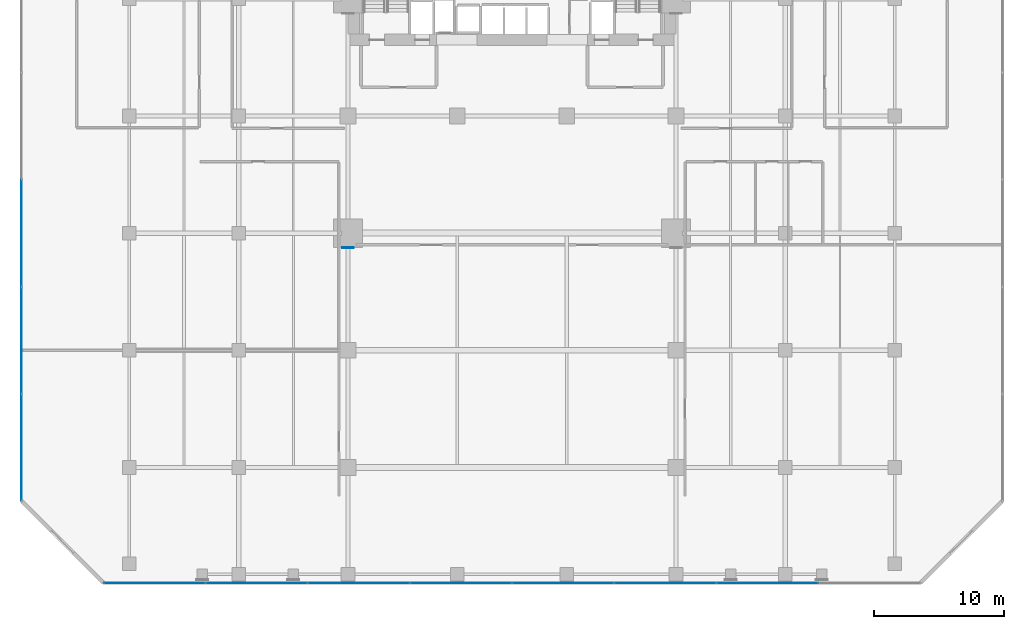
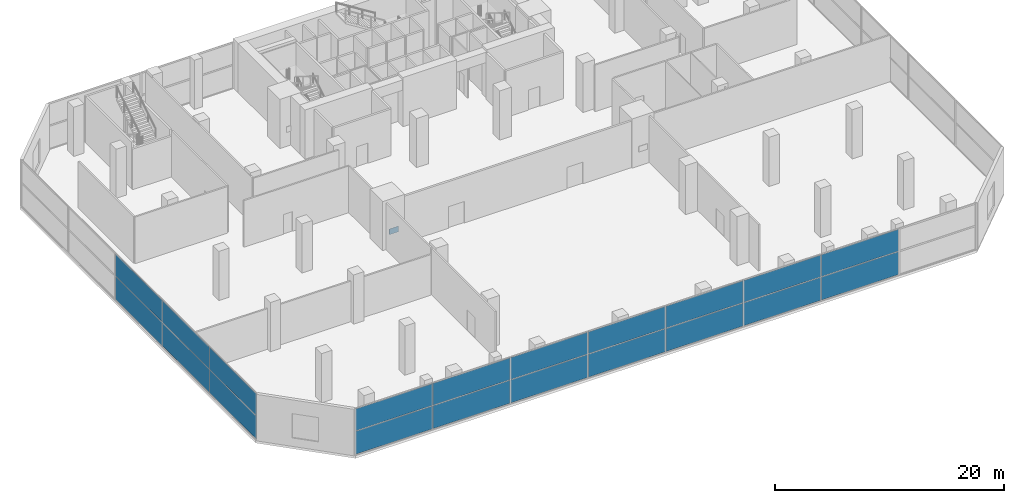
# One storey, part 31 of 40: 21 plates, 2 elements without a shape of their own.
"""IFC4 building model written with IfcOpenShell, lengths in metres."""

import ifcopenshell
import ifcopenshell.guid

model = None  # the IFC model being written
_history = None  # IfcOwnerHistory: only IFC2X3 demands one
_inside = {}  # id of a spatial element -> (the spatial element, [elements in it])
_under = {}  # id of a project, library or spatial element -> (it, [spatial elements below it])
_declared = {}  # id of a project -> (the project, [libraries it declares])
_typed = {}  # id of a type object -> (the type object, [elements of that type])
_made_of = {}  # id of a material, layer set ... -> (it, [elements and type objects made of it])


def new_model(schema):
    """Start an empty IFC model of exactly this schema.

    Asked for "IFC4X3", IfcOpenShell would pick the latest addendum, in which some entities
    have other attributes; the version numbers below select the first issue.
    IFC2X3 requires an IfcOwnerHistory on every rooted entity: one is made here for all.
    """
    global model, _history
    if schema == "IFC4X3":
        model = ifcopenshell.file(schema_version=(4, 3, 0, 0))
    else:
        model = ifcopenshell.file(schema=schema)
    _inside.clear()
    _under.clear()
    _declared.clear()
    _typed.clear()
    _made_of.clear()
    _history = None
    if model.schema == "IFC2X3":
        org = make("IfcOrganization", Name="unknown")
        user = make(
            "IfcPersonAndOrganization",
            ThePerson=make("IfcPerson", FamilyName="unknown"),
            TheOrganization=org,
        )
        app = make(
            "IfcApplication",
            ApplicationDeveloper=org,
            Version="unknown",
            ApplicationFullName="unknown",
            ApplicationIdentifier="unknown",
        )
        _history = make(
            "IfcOwnerHistory",
            OwningUser=user,
            OwningApplication=app,
            ChangeAction="ADDED",
            CreationDate=0,
        )
    return model


def make(cls, **values):
    """One entity of the class cls with the attributes given. An attribute that is None is left unset."""
    return model.create_entity(
        cls, **{name: value for name, value in values.items() if value is not None}
    )


def rooted(cls, **values):
    """An entity with a GlobalId (a new one), such as an element, a storey or a relation."""
    return make(cls, GlobalId=ifcopenshell.guid.new(), OwnerHistory=_history, **values)


def si_unit(unit_type, name, prefix=None):
    """IfcSIUnit, for example si_unit("LENGTHUNIT", "METRE", prefix="MILLI")."""
    return make("IfcSIUnit", UnitType=unit_type, Prefix=prefix, Name=name)


def assignment(units):
    """IfcUnitAssignment: the units of a project."""
    return None if units is None else make("IfcUnitAssignment", Units=units)


def point(xyz):
    """IfcCartesianPoint."""
    return None if xyz is None else make("IfcCartesianPoint", Coordinates=xyz)


def direction(xyz):
    """IfcDirection."""
    return None if xyz is None else make("IfcDirection", DirectionRatios=xyz)


def frame(location, z_axis=None, x_axis=None):
    """IfcAxis2Placement3D, a coordinate frame: its origin and axes. An axis left out is left unset."""
    return make(
        "IfcAxis2Placement3D",
        Location=point(location),
        Axis=direction(z_axis),
        RefDirection=direction(x_axis),
    )


def frame_2d(location, x_axis=None):
    """IfcAxis2Placement2D, a coordinate frame in the plane: its origin and x axis."""
    return make(
        "IfcAxis2Placement2D", Location=point(location), RefDirection=direction(x_axis)
    )


def origin():
    """The frame at (0, 0, 0) with its axes left unset."""
    return frame((0.0, 0.0, 0.0))


def origin_2d():
    """The frame at (0, 0) in the plane with its x axis left unset."""
    return frame_2d((0.0, 0.0))


def place(relative_to, where):
    """IfcLocalPlacement: puts the frame where relative to a parent placement (None: the world)."""
    return make(
        "IfcLocalPlacement", PlacementRelTo=relative_to, RelativePlacement=where
    )


def context(
    kind, dimensions, precision=None, world=None, true_north=None, identifier=None
):
    """IfcGeometricRepresentationContext, for example the 3D "Model" context."""
    return make(
        "IfcGeometricRepresentationContext",
        ContextIdentifier=identifier,
        ContextType=kind,
        CoordinateSpaceDimension=dimensions,
        Precision=precision,
        WorldCoordinateSystem=world,
        TrueNorth=true_north,
    )


def subcontext(parent, identifier, kind, view, scale=None):
    """IfcGeometricRepresentationSubContext, for example "Body" below "Model"."""
    return make(
        "IfcGeometricRepresentationSubContext",
        ContextIdentifier=identifier,
        ContextType=kind,
        ParentContext=parent,
        TargetScale=scale,
        TargetView=view,
    )


def project(units=None, contexts=None):
    """IfcProject with its units and contexts."""
    return rooted(
        "IfcProject",
        Name="project",
        RepresentationContexts=contexts,
        UnitsInContext=assignment(units),
    )


def spatial(cls, under=None, at=None, **own):
    """A site, building, storey or space (cls), placed at a placement, below another one or the project."""
    s = rooted(cls, ObjectPlacement=at, **own)
    if under is not None:
        _under.setdefault(under.id(), (under, []))[1].append(s)
    return s


def profile(cls, at=None, kind="AREA", **sizes):
    """A parametric profile (cls). Its sizes go by their IFC names, for example OverallWidth=200.0."""
    return make(cls, ProfileType=kind, Position=at, **sizes)


def rectangle(**sizes):
    """IfcRectangleProfileDef."""
    return profile("IfcRectangleProfileDef", **sizes)


def extrude(swept, where, along, depth):
    """IfcExtrudedAreaSolid: the profile swept, set in the frame where, extruded along a direction by depth."""
    return make(
        "IfcExtrudedAreaSolid",
        SweptArea=swept,
        Position=where,
        ExtrudedDirection=direction(along),
        Depth=depth,
    )


def shape(context_of_items, identifier, shape_type, items):
    """IfcShapeRepresentation: the items that make up one representation, for example the "Body"."""
    return make(
        "IfcShapeRepresentation",
        ContextOfItems=context_of_items,
        RepresentationIdentifier=identifier,
        RepresentationType=shape_type,
        Items=items,
    )


def material(Name=None, Category=None):
    """IfcMaterial."""
    return make("IfcMaterial", Name=Name, Category=Category)


def layer(
    of_material, thickness, ventilated=None, Name=None, Category=None, Priority=None
):
    """IfcMaterialLayer: one layer of a wall or slab, of a material (None: an air gap)."""
    return make(
        "IfcMaterialLayer",
        Material=of_material,
        LayerThickness=thickness,
        IsVentilated=ventilated,
        Name=Name,
        Category=Category,
        Priority=Priority,
    )


def layer_set(layers, Name=None):
    """IfcMaterialLayerSet."""
    return make("IfcMaterialLayerSet", MaterialLayers=layers, LayerSetName=Name)


def made_of(thing, what):
    """Note that an element or type object is made of a material, layer set ...; save() writes the relation."""
    if what is not None:
        _made_of.setdefault(what.id(), (what, []))[1].append(thing)
    return thing


def type_object(cls, material=None, **own):
    """A type object (cls), such as IfcWallType, which elements share."""
    return made_of(rooted(cls, **own), material)


def element(
    cls,
    number,
    at=None,
    inside=None,
    cuts=None,
    type_object=None,
    material=None,
    context=None,
    identifier="Body",
    shape_type=None,
    held_by="IfcProductDefinitionShape",
    body=None,
    shapes=None,
    **own,
):
    """One element of the class cls, such as IfcWall. Its Tag is "e" and its number.

    at: its placement. inside: the storey or other place that contains it. cuts: it is an
    opening in that element (IfcRelVoidsElement). A single representation is given by context,
    identifier, shape_type and body (its items); several are given by shapes. held_by: the class
    of the entity that holds the representations. save() writes the other relations.
    """
    e = rooted(cls, Tag="e%d" % number, ObjectPlacement=at, **own)
    if body is not None:
        shapes = [shape(context, identifier, shape_type, body)]
    if shapes is not None:
        e.Representation = make(held_by, Representations=shapes)
    if inside is not None:
        _inside.setdefault(inside.id(), (inside, []))[1].append(e)
    if cuts is not None:
        rooted(
            "IfcRelVoidsElement", RelatingBuildingElement=cuts, RelatedOpeningElement=e
        )
    if type_object is not None:
        _typed.setdefault(type_object.id(), (type_object, []))[1].append(e)
    return made_of(e, material)


def aggregate(whole, parts):
    """IfcRelAggregates: a whole, such as a stair, and the parts it consists of."""
    return rooted("IfcRelAggregates", RelatingObject=whole, RelatedObjects=parts)


def save(model, path):
    """Write the relations noted so far, then the file.

    IfcRelAggregates (storeys below a building ...), IfcRelContainedInSpatialStructure (elements
    in a storey), IfcRelDefinesByType, IfcRelAssociatesMaterial and IfcRelDeclares: one each for
    every whole, place, type object, material and project.
    """
    for whole, parts in _under.values():
        aggregate(whole, parts)
    for where, things in _inside.values():
        rooted(
            "IfcRelContainedInSpatialStructure",
            RelatedElements=things,
            RelatingStructure=where,
        )
    for kind, things in _typed.values():
        rooted("IfcRelDefinesByType", RelatedObjects=things, RelatingType=kind)
    for what, things in _made_of.values():
        rooted("IfcRelAssociatesMaterial", RelatedObjects=things, RelatingMaterial=what)
    for by, libraries in _declared.values():
        rooted("IfcRelDeclares", RelatingContext=by, RelatedDefinitions=libraries)
    model.write(path)


model = new_model("IFC4")

# Units and contexts
model_context = context("Model", 3, precision=1e-05, world=origin(), true_north=direction((0.0, 1.0)))
body_context = subcontext(model_context, "Body", "Model", "MODEL_VIEW")
ifc_project = project(units=[si_unit("LENGTHUNIT", "METRE"), si_unit("AREAUNIT", "SQUARE_METRE"), si_unit("VOLUMEUNIT", "CUBIC_METRE"), si_unit("PLANEANGLEUNIT", "RADIAN"), si_unit("MASSUNIT", "GRAM", prefix="KILO")], contexts=[model_context])

# Site, building, storey
site_placement = place(None, origin())
site = spatial("IfcSite", under=ifc_project, at=site_placement, CompositionType="ELEMENT")
building_placement = place(site_placement, origin())
building = spatial("IfcBuilding", under=site, at=building_placement, Name="Maruvema Waterfront Hotel and Observation Tower", CompositionType="ELEMENT")
storey_placement = place(building_placement, frame((0.0, 0.0, 5.60009765625)))
storey = spatial("IfcBuildingStorey", under=building, at=storey_placement, Name="L01", CompositionType="ELEMENT", Elevation=5.60009765625)

# Curtain wall, plates
ifc_material_1 = material(Name="Anodised bronze aluminium and solar-control low-E IGU", Category="aluminium")
ifc_layer_1 = layer(ifc_material_1, 0.159912109375, Name="Podium Waterfront Storefront Curtain Wall System CW-01")
ifc_layer_set_1 = layer_set([ifc_layer_1], Name="Anodised bronze aluminium and solar-control low-E IGU")
curtain_wall_type = type_object("IfcCurtainWallType", Name="Podium Waterfront Storefront Curtain Wall System CW-01", PredefinedType="USERDEFINED", material=ifc_layer_set_1)
curtain_wall_1_placement = place(storey_placement, origin())
curtain_wall_1 = element("IfcCurtainWall", 1, at=curtain_wall_1_placement, inside=storey, type_object=curtain_wall_type, Name="L01 Curtain Wall CW-L01-S", ObjectType="UNITISED CURTAIN WALL", PredefinedType="USERDEFINED")
ifc_material_2 = material(Name="Laminated low-E solar-control double glazing", Category="glass")
ifc_layer_2 = layer(ifc_material_2, 0.035888671875, Name="Solar Control Double-Glazed Curtain Panel 36 mm")
ifc_layer_set_2 = layer_set([ifc_layer_2], Name="Laminated low-E solar-control double glazing")
plate_type_1 = type_object("IfcPlateType", Name="Solar Control Double-Glazed Curtain Panel 36 mm", PredefinedType="CURTAIN_PANEL", material=ifc_layer_set_2)
plate_1_placement = place(storey_placement, frame((10.340087890625, 0.1201171875, 0.059814453125), z_axis=(0.0, 0.0, 1.0), x_axis=(1.0, 0.0, 0.0)))
plate_1 = element("IfcPlate", 2, at=plate_1_placement, type_object=plate_type_1, Name="CW-01 panel 1.1", PredefinedType="CURTAIN_PANEL", context=body_context, shape_type="SweptSolid", body=[
    extrude(rectangle(XDim=7.760009765625, YDim=0.028076171875, at=origin_2d()), origin(), (0.0, 0.0, 1.0), 2.4599609375),
])
plate_2_placement = place(storey_placement, frame((10.340087890625, 0.1201171875, 2.579833984375), z_axis=(0.0, 0.0, 1.0), x_axis=(1.0, 0.0, 0.0)))
plate_2 = element("IfcPlate", 3, at=plate_2_placement, type_object=plate_type_1, Name="CW-01 panel 1.2", PredefinedType="CURTAIN_PANEL", context=body_context, shape_type="SweptSolid", body=[
    extrude(rectangle(XDim=7.760009765625, YDim=0.028076171875, at=origin_2d()), origin(), (0.0, 0.0, 1.0), 2.330078125),
])
plate_3_placement = place(storey_placement, frame((18.175048828125, 0.1201171875, 0.059814453125), z_axis=(0.0, 0.0, 1.0), x_axis=(1.0, 0.0, 0.0)))
plate_3 = element("IfcPlate", 4, at=plate_3_placement, type_object=plate_type_1, Name="CW-01 panel 2.1", PredefinedType="CURTAIN_PANEL", context=body_context, shape_type="SweptSolid", body=[
    extrude(rectangle(XDim=7.7900390625, YDim=0.028076171875, at=origin_2d()), origin(), (0.0, 0.0, 1.0), 2.4599609375),
])
plate_4_placement = place(storey_placement, frame((18.175048828125, 0.1201171875, 2.579833984375), z_axis=(0.0, 0.0, 1.0), x_axis=(1.0, 0.0, 0.0)))
plate_4 = element("IfcPlate", 5, at=plate_4_placement, type_object=plate_type_1, Name="CW-01 panel 2.2", PredefinedType="CURTAIN_PANEL", context=body_context, shape_type="SweptSolid", body=[
    extrude(rectangle(XDim=7.7900390625, YDim=0.028076171875, at=origin_2d()), origin(), (0.0, 0.0, 1.0), 2.330078125),
])
plate_5_placement = place(storey_placement, frame((26.02490234375, 0.1201171875, 0.059814453125), z_axis=(0.0, 0.0, 1.0), x_axis=(1.0, 0.0, 0.0)))
plate_5 = element("IfcPlate", 6, at=plate_5_placement, type_object=plate_type_1, Name="CW-01 panel 3.1", PredefinedType="CURTAIN_PANEL", context=body_context, shape_type="SweptSolid", body=[
    extrude(rectangle(XDim=7.7900390625, YDim=0.028076171875, at=origin_2d()), origin(), (0.0, 0.0, 1.0), 2.4599609375),
])
plate_6_placement = place(storey_placement, frame((26.02490234375, 0.1201171875, 2.579833984375), z_axis=(0.0, 0.0, 1.0), x_axis=(1.0, 0.0, 0.0)))
plate_6 = element("IfcPlate", 7, at=plate_6_placement, type_object=plate_type_1, Name="CW-01 panel 3.2", PredefinedType="CURTAIN_PANEL", context=body_context, shape_type="SweptSolid", body=[
    extrude(rectangle(XDim=7.7900390625, YDim=0.028076171875, at=origin_2d()), origin(), (0.0, 0.0, 1.0), 2.330078125),
])
plate_7_placement = place(storey_placement, frame((33.875, 0.1201171875, 0.059814453125), z_axis=(0.0, 0.0, 1.0), x_axis=(1.0, 0.0, 0.0)))
plate_7 = element("IfcPlate", 8, at=plate_7_placement, type_object=plate_type_1, Name="CW-01 panel 4.1", PredefinedType="CURTAIN_PANEL", context=body_context, shape_type="SweptSolid", body=[
    extrude(rectangle(XDim=7.7900390625, YDim=0.028076171875, at=origin_2d()), origin(), (0.0, 0.0, 1.0), 2.4599609375),
])
plate_8_placement = place(storey_placement, frame((33.875, 0.1201171875, 2.579833984375), z_axis=(0.0, 0.0, 1.0), x_axis=(1.0, 0.0, 0.0)))
plate_8 = element("IfcPlate", 9, at=plate_8_placement, type_object=plate_type_1, Name="CW-01 panel 4.2", PredefinedType="CURTAIN_PANEL", context=body_context, shape_type="SweptSolid", body=[
    extrude(rectangle(XDim=7.7900390625, YDim=0.028076171875, at=origin_2d()), origin(), (0.0, 0.0, 1.0), 2.330078125),
])
plate_9_placement = place(storey_placement, frame((41.72509765625, 0.1201171875, 0.059814453125), z_axis=(0.0, 0.0, 1.0), x_axis=(1.0, 0.0, 0.0)))
plate_9 = element("IfcPlate", 10, at=plate_9_placement, type_object=plate_type_1, Name="CW-01 panel 5.1", PredefinedType="CURTAIN_PANEL", context=body_context, shape_type="SweptSolid", body=[
    extrude(rectangle(XDim=7.7900390625, YDim=0.028076171875, at=origin_2d()), origin(), (0.0, 0.0, 1.0), 2.4599609375),
])
plate_10_placement = place(storey_placement, frame((41.72509765625, 0.1201171875, 2.579833984375), z_axis=(0.0, 0.0, 1.0), x_axis=(1.0, 0.0, 0.0)))
plate_10 = element("IfcPlate", 11, at=plate_10_placement, type_object=plate_type_1, Name="CW-01 panel 5.2", PredefinedType="CURTAIN_PANEL", context=body_context, shape_type="SweptSolid", body=[
    extrude(rectangle(XDim=7.7900390625, YDim=0.028076171875, at=origin_2d()), origin(), (0.0, 0.0, 1.0), 2.330078125),
])
plate_11_placement = place(storey_placement, frame((49.574951171875, 0.1201171875, 0.059814453125), z_axis=(0.0, 0.0, 1.0), x_axis=(1.0, 0.0, 0.0)))
plate_11 = element("IfcPlate", 12, at=plate_11_placement, type_object=plate_type_1, Name="CW-01 panel 6.1", PredefinedType="CURTAIN_PANEL", context=body_context, shape_type="SweptSolid", body=[
    extrude(rectangle(XDim=7.7900390625, YDim=0.028076171875, at=origin_2d()), origin(), (0.0, 0.0, 1.0), 2.4599609375),
])
plate_12_placement = place(storey_placement, frame((49.574951171875, 0.1201171875, 2.579833984375), z_axis=(0.0, 0.0, 1.0), x_axis=(1.0, 0.0, 0.0)))
plate_12 = element("IfcPlate", 13, at=plate_12_placement, type_object=plate_type_1, Name="CW-01 panel 6.2", PredefinedType="CURTAIN_PANEL", context=body_context, shape_type="SweptSolid", body=[
    extrude(rectangle(XDim=7.7900390625, YDim=0.028076171875, at=origin_2d()), origin(), (0.0, 0.0, 1.0), 2.330078125),
])
plate_13_placement = place(storey_placement, frame((57.425048828125, 0.1201171875, 0.059814453125), z_axis=(0.0, 0.0, 1.0), x_axis=(1.0, 0.0, 0.0)))
plate_13 = element("IfcPlate", 14, at=plate_13_placement, type_object=plate_type_1, Name="CW-01 panel 7.1", PredefinedType="CURTAIN_PANEL", context=body_context, shape_type="SweptSolid", body=[
    extrude(rectangle(XDim=7.7900390625, YDim=0.028076171875, at=origin_2d()), origin(), (0.0, 0.0, 1.0), 2.4599609375),
])
plate_14_placement = place(storey_placement, frame((57.425048828125, 0.1201171875, 2.579833984375), z_axis=(0.0, 0.0, 1.0), x_axis=(1.0, 0.0, 0.0)))
plate_14 = element("IfcPlate", 15, at=plate_14_placement, type_object=plate_type_1, Name="CW-01 panel 7.2", PredefinedType="CURTAIN_PANEL", context=body_context, shape_type="SweptSolid", body=[
    extrude(rectangle(XDim=7.7900390625, YDim=0.028076171875, at=origin_2d()), origin(), (0.0, 0.0, 1.0), 2.330078125),
])
aggregate(curtain_wall_1, [plate_1, plate_2, plate_3, plate_4, plate_5, plate_6, plate_7, plate_8, plate_9, plate_10, plate_11, plate_12, plate_13, plate_14])

curtain_wall_2_placement = place(storey_placement, origin())
curtain_wall_2 = element("IfcCurtainWall", 16, at=curtain_wall_2_placement, inside=storey, type_object=curtain_wall_type, Name="L01 Curtain Wall CW-L01-W", ObjectType="UNITISED CURTAIN WALL", PredefinedType="USERDEFINED")
plate_15_placement = place(storey_placement, frame((0.1201171875, 27.0, 0.059814453125), z_axis=(0.0, 0.0, 1.0), x_axis=(0.0, -1.0, 0.0)))
plate_15 = element("IfcPlate", 17, at=plate_15_placement, type_object=plate_type_1, Name="CW-01 panel 3.1", PredefinedType="CURTAIN_PANEL", context=body_context, shape_type="SweptSolid", body=[
    extrude(rectangle(XDim=8.179931640625, YDim=0.028076171875, at=origin_2d()), origin(), (0.0, 0.0, 1.0), 2.4599609375),
])
plate_16_placement = place(storey_placement, frame((0.1201171875, 27.0, 2.579833984375), z_axis=(0.0, 0.0, 1.0), x_axis=(0.0, -1.0, 0.0)))
plate_16 = element("IfcPlate", 18, at=plate_16_placement, type_object=plate_type_1, Name="CW-01 panel 3.2", PredefinedType="CURTAIN_PANEL", context=body_context, shape_type="SweptSolid", body=[
    extrude(rectangle(XDim=8.179931640625, YDim=0.028076171875, at=origin_2d()), origin(), (0.0, 0.0, 1.0), 2.330078125),
])
plate_17_placement = place(storey_placement, frame((0.1201171875, 18.760009765625, 0.059814453125), z_axis=(0.0, 0.0, 1.0), x_axis=(0.0, -1.0, 0.0)))
plate_17 = element("IfcPlate", 19, at=plate_17_placement, type_object=plate_type_1, Name="CW-01 panel 4.1", PredefinedType="CURTAIN_PANEL", context=body_context, shape_type="SweptSolid", body=[
    extrude(rectangle(XDim=8.179931640625, YDim=0.028076171875, at=origin_2d()), origin(), (0.0, 0.0, 1.0), 2.4599609375),
])
plate_18_placement = place(storey_placement, frame((0.1201171875, 18.760009765625, 2.579833984375), z_axis=(0.0, 0.0, 1.0), x_axis=(0.0, -1.0, 0.0)))
plate_18 = element("IfcPlate", 20, at=plate_18_placement, type_object=plate_type_1, Name="CW-01 panel 4.2", PredefinedType="CURTAIN_PANEL", context=body_context, shape_type="SweptSolid", body=[
    extrude(rectangle(XDim=8.179931640625, YDim=0.028076171875, at=origin_2d()), origin(), (0.0, 0.0, 1.0), 2.330078125),
])
plate_19_placement = place(storey_placement, frame((0.1201171875, 10.534912109375, 0.059814453125), z_axis=(0.0, 0.0, 1.0), x_axis=(0.0, -1.0, 0.0)))
plate_19 = element("IfcPlate", 21, at=plate_19_placement, type_object=plate_type_1, Name="CW-01 panel 5.1", PredefinedType="CURTAIN_PANEL", context=body_context, shape_type="SweptSolid", body=[
    extrude(rectangle(XDim=8.14990234375, YDim=0.028076171875, at=origin_2d()), origin(), (0.0, 0.0, 1.0), 2.4599609375),
])
plate_20_placement = place(storey_placement, frame((0.1201171875, 10.534912109375, 2.579833984375), z_axis=(0.0, 0.0, 1.0), x_axis=(0.0, -1.0, 0.0)))
plate_20 = element("IfcPlate", 22, at=plate_20_placement, type_object=plate_type_1, Name="CW-01 panel 5.2", PredefinedType="CURTAIN_PANEL", context=body_context, shape_type="SweptSolid", body=[
    extrude(rectangle(XDim=8.14990234375, YDim=0.028076171875, at=origin_2d()), origin(), (0.0, 0.0, 1.0), 2.330078125),
])
aggregate(curtain_wall_2, [plate_15, plate_16, plate_17, plate_18, plate_19, plate_20])

# Plate
ifc_material_3 = material(Name="Steel ABNT NBR 7007 AR 415 (ASTM A572 Grade 50)", Category="steel")
ifc_layer_3 = layer(ifc_material_3, 0.0400390625, Name="Structural Truss Node Gusset Plate 40 mm")
ifc_layer_set_3 = layer_set([ifc_layer_3], Name="Steel ABNT NBR 7007 AR 415 (ASTM A572 Grade 50)")
plate_type_2 = type_object("IfcPlateType", Name="Structural Truss Node Gusset Plate 40 mm", PredefinedType="USERDEFINED", material=ifc_layer_set_3)
plate_21_placement = place(storey_placement, frame((25.199951171875, 25.8798828125, 1.499755859375), z_axis=(0.0, 0.0, 1.0), x_axis=(1.0, 0.0, 0.0)))
element("IfcPlate", 23, at=plate_21_placement, inside=storey, type_object=plate_type_2, Name="L01 MC-01 Moment Frame Continuity Gusset Plate", ObjectType="GUSSET_PLATE", PredefinedType="USERDEFINED", context=body_context, shape_type="SweptSolid", body=[
    extrude(rectangle(XDim=0.89990234375, YDim=0.0400390625, at=origin_2d()), origin(), (0.0, 0.0, 1.0), 0.60009765625),
])

save(model, "model.ifc")
